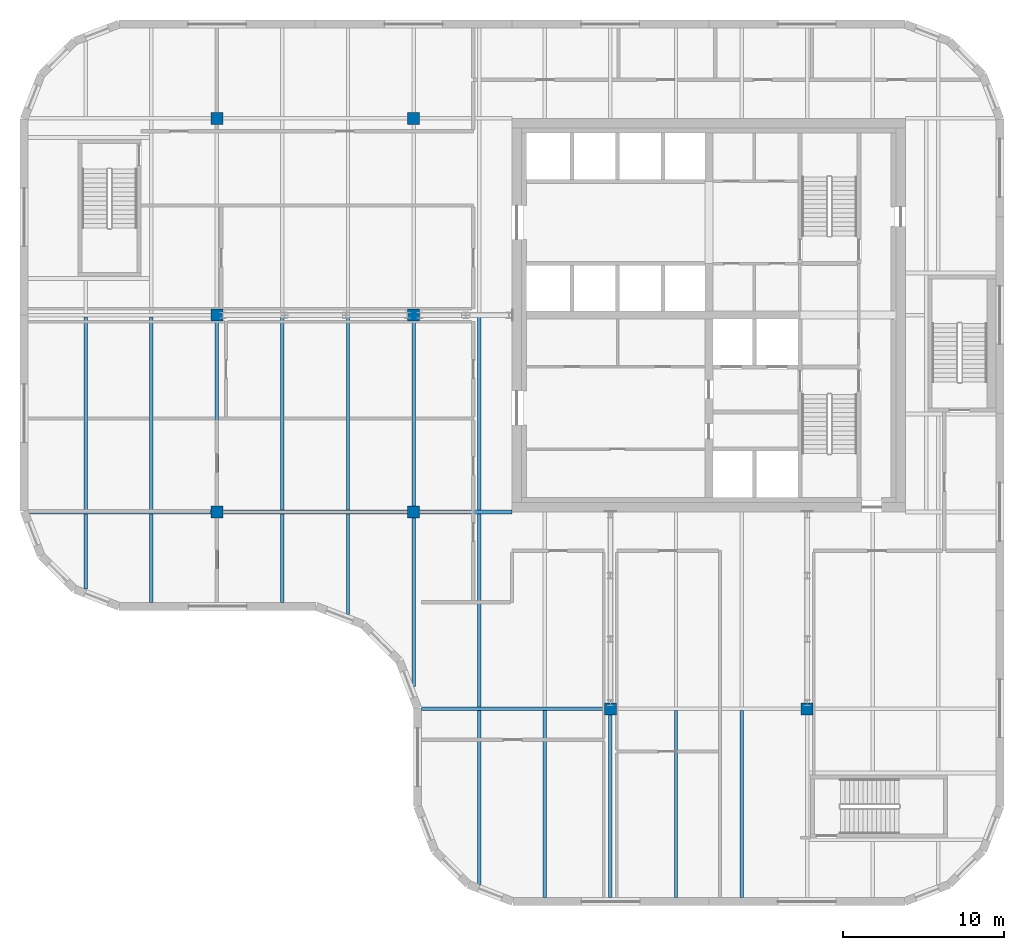
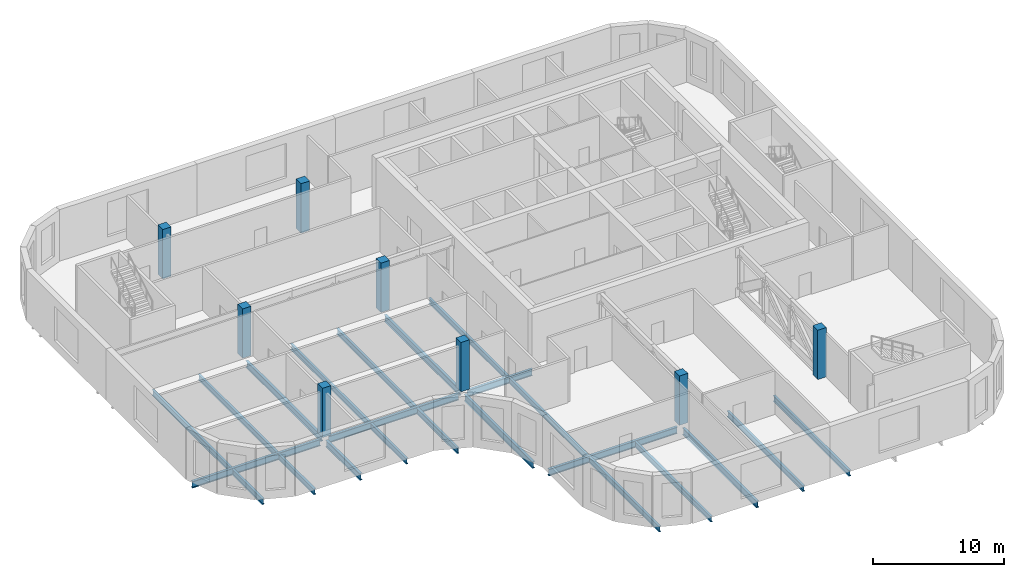
# One storey, part 1 of 12: 23 beams, 8 columns.
"""IFC4 building model written with IfcOpenShell, lengths in metres."""

from ifc_helpers import new_model, si_unit, direction, frame, origin, origin_2d, place, context, subcontext, project, spatial, rectangle, i_section, extrude, material, material_profile, profile_set, type_object, element, save


model = new_model("IFC4")

# Units and contexts
model_context = context("Model", 3, precision=1e-05, world=origin(), true_north=direction((0.0, 1.0)))
body_context = subcontext(model_context, "Body", "Model", "MODEL_VIEW")
ifc_project = project(units=[si_unit("LENGTHUNIT", "METRE"), si_unit("AREAUNIT", "SQUARE_METRE"), si_unit("VOLUMEUNIT", "CUBIC_METRE"), si_unit("PLANEANGLEUNIT", "RADIAN"), si_unit("MASSUNIT", "GRAM", prefix="KILO")], contexts=[model_context])

# Site, building, storey
site_placement = place(None, origin())
site = spatial("IfcSite", under=ifc_project, at=site_placement, CompositionType="ELEMENT")
building_placement = place(site_placement, origin())
building = spatial("IfcBuilding", under=site, at=building_placement, Name="Tessera Gate Towers", CompositionType="ELEMENT")
storey_placement = place(building_placement, frame((0.0, 0.0, 150.60009765625)))
storey = spatial("IfcBuildingStorey", under=building, at=storey_placement, Name="L37", CompositionType="ELEMENT", Elevation=150.60009765625)

# Columns
ifc_material_1 = material(Name="Concrete C70/85", Category="concrete")
ifc_material_profile_1 = material_profile(ifc_material_1, rectangle(XDim=0.75, YDim=0.75, at=origin_2d()), Name="RC 750x750")
ifc_profile_set_1 = profile_set([ifc_material_profile_1], Name="Concrete C70/85")
column_type = type_object("IfcColumnType", Name="COLUMN RC 750x750", PredefinedType="COLUMN", material=ifc_profile_set_1)
for number, where, z_axis, x_axis, name in (
    (1, (12.199951171875, 24.39990234375, 0.0), (0.0, 0.0, 1.0), (1.0, 0.0, 0.0), "T1-COL-2C-L37"),
    (2, (12.199951171875, 36.60009765625, 0.0), (0.0, 0.0, 1.0), (1.0, 0.0, 0.0), "T1-COL-2D-L37"),
    (3, (12.199951171875, 48.800048828125, 0.0), (0.0, 0.0, 1.0), (1.0, 0.0, 0.0), "T1-COL-2E-L37"),
    (4, (24.39990234375, 24.39990234375, 0.0), (0.0, 0.0, 1.0), (1.0, 0.0, 0.0), "T1-COL-3C-L37"),
    (5, (24.39990234375, 36.60009765625, 0.0), (0.0, 0.0, 1.0), (1.0, 0.0, 0.0), "T1-COL-3D-L37"),
    (6, (24.39990234375, 48.800048828125, 0.0), (0.0, 0.0, 1.0), (1.0, 0.0, 0.0), "T1-COL-3E-L37"),
    (7, (36.60009765625, 12.199951171875, 0.0), (0.0, 0.0, 1.0), (1.0, 0.0, 0.0), "T1-COL-4B-L37"),
    (8, (48.800048828125, 12.199951171875, 0.0), (0.0, 0.0, 1.0), (1.0, 0.0, 0.0), "T1-COL-5B-L37"),
):
    element("IfcColumn", number, at=place(storey_placement, frame(where, z_axis=z_axis, x_axis=x_axis)), inside=storey, type_object=column_type, Name=name, PredefinedType="COLUMN", context=body_context, shape_type="SweptSolid", body=[
        extrude(rectangle(XDim=0.75, YDim=0.75, at=origin_2d()), origin(), (0.0, 0.0, 1.0), 4.599853515625),
    ])

# Beams
ifc_material_2 = material(Name="Steel 350W", Category="steel")
ifc_material_profile_2 = material_profile(ifc_material_2, i_section(OverallWidth=0.22900390625, OverallDepth=0.612060546875, WebThickness=0.011962890625, FlangeThickness=0.01953125, at=origin_2d()), Name="W610x125")
ifc_profile_set_2 = profile_set([ifc_material_profile_2], Name="Steel 350W")
beam_type_1 = type_object("IfcBeamType", Name="FLOOR GIRDER W610x125", PredefinedType="BEAM", material=ifc_profile_set_2)
beam_1_placement = place(storey_placement, frame((24.89892578125, 12.199951171875, -0.606201171875), z_axis=(1.0, 0.0, 0.0), x_axis=(0.0, 1.0, 0.0)))
element("IfcBeam", 9, at=beam_1_placement, inside=storey, type_object=beam_type_1, Name="T1-GD-L37-4296", PredefinedType="BEAM", context=body_context, shape_type="SweptSolid", body=[
    extrude(i_section(OverallWidth=0.22900390625, OverallDepth=0.612060546875, WebThickness=0.011962890625, FlangeThickness=0.01953125, at=origin_2d()), origin(), (0.0, 0.0, 1.0), 11.326171875),
])
beam_2_placement = place(storey_placement, frame((0.534912109375, 24.39990234375, -0.606201171875), z_axis=(1.0, 0.0, 0.0), x_axis=(0.0, 1.0, 0.0)))
element("IfcBeam", 10, at=beam_2_placement, inside=storey, type_object=beam_type_1, Name="T1-GD-L37-4299", PredefinedType="BEAM", context=body_context, shape_type="SweptSolid", body=[
    extrude(i_section(OverallWidth=0.22900390625, OverallDepth=0.612060546875, WebThickness=0.011962890625, FlangeThickness=0.01953125, at=origin_2d()), origin(), (0.0, 0.0, 1.0), 11.2900390625),
])
beam_3_placement = place(storey_placement, frame((12.574951171875, 24.39990234375, -0.606201171875), z_axis=(1.0, 0.0, 0.0), x_axis=(0.0, 1.0, 0.0)))
element("IfcBeam", 11, at=beam_3_placement, inside=storey, type_object=beam_type_1, Name="T1-GD-L37-4300", PredefinedType="BEAM", context=body_context, shape_type="SweptSolid", body=[
    extrude(i_section(OverallWidth=0.22900390625, OverallDepth=0.612060546875, WebThickness=0.011962890625, FlangeThickness=0.01953125, at=origin_2d()), origin(), (0.0, 0.0, 1.0), 11.449951171875),
])
beam_4_placement = place(storey_placement, frame((24.77490234375, 24.39990234375, -0.606201171875), z_axis=(1.0, 0.0, 0.0), x_axis=(0.0, 1.0, 0.0)))
element("IfcBeam", 12, at=beam_4_placement, inside=storey, type_object=beam_type_1, Name="T1-GD-L37-4301", PredefinedType="BEAM", context=body_context, shape_type="SweptSolid", body=[
    extrude(i_section(OverallWidth=0.22900390625, OverallDepth=0.612060546875, WebThickness=0.011962890625, FlangeThickness=0.01953125, at=origin_2d()), origin(), (0.0, 0.0, 1.0), 5.72412109375),
])
beam_5_placement = place(storey_placement, frame((12.199951171875, 18.799072265625, -0.606201171875), z_axis=(0.0, 1.0, 0.0), x_axis=(-1.0, 0.0, 0.0)))
element("IfcBeam", 13, at=beam_5_placement, inside=storey, type_object=beam_type_1, Name="T1-GD-L37-4311", PredefinedType="BEAM", context=body_context, shape_type="SweptSolid", body=[
    extrude(i_section(OverallWidth=0.22900390625, OverallDepth=0.612060546875, WebThickness=0.011962890625, FlangeThickness=0.01953125, at=origin_2d()), origin(), (0.0, 0.0, 1.0), 5.225830078125),
])
beam_6_placement = place(storey_placement, frame((12.199951171875, 24.77490234375, -0.606201171875), z_axis=(0.0, 1.0, 0.0), x_axis=(-1.0, 0.0, 0.0)))
element("IfcBeam", 14, at=beam_6_placement, inside=storey, type_object=beam_type_1, Name="T1-GD-L37-4312", PredefinedType="BEAM", context=body_context, shape_type="SweptSolid", body=[
    extrude(i_section(OverallWidth=0.22900390625, OverallDepth=0.612060546875, WebThickness=0.011962890625, FlangeThickness=0.01953125, at=origin_2d()), origin(), (0.0, 0.0, 1.0), 11.4501953125),
])
beam_7_placement = place(storey_placement, frame((24.39990234375, 13.58642578125, -0.606201171875), z_axis=(0.0, 1.0, 0.0), x_axis=(-1.0, 0.0, 0.0)))
element("IfcBeam", 15, at=beam_7_placement, inside=storey, type_object=beam_type_1, Name="T1-GD-L37-4315", PredefinedType="BEAM", context=body_context, shape_type="SweptSolid", body=[
    extrude(i_section(OverallWidth=0.22900390625, OverallDepth=0.612060546875, WebThickness=0.011962890625, FlangeThickness=0.01953125, at=origin_2d()), origin(), (0.0, 0.0, 1.0), 10.4384765625),
])
beam_8_placement = place(storey_placement, frame((24.39990234375, 24.77490234375, -0.606201171875), z_axis=(0.0, 1.0, 0.0), x_axis=(-1.0, 0.0, 0.0)))
element("IfcBeam", 16, at=beam_8_placement, inside=storey, type_object=beam_type_1, Name="T1-GD-L37-4316", PredefinedType="BEAM", context=body_context, shape_type="SweptSolid", body=[
    extrude(i_section(OverallWidth=0.22900390625, OverallDepth=0.612060546875, WebThickness=0.011962890625, FlangeThickness=0.01953125, at=origin_2d()), origin(), (0.0, 0.0, 1.0), 11.4501953125),
])
beam_9_placement = place(storey_placement, frame((36.60009765625, 0.4990234375, -0.606201171875), z_axis=(0.0, 1.0, 0.0), x_axis=(-1.0, 0.0, 0.0)))
element("IfcBeam", 17, at=beam_9_placement, inside=storey, type_object=beam_type_1, Name="T1-GD-L37-4319", PredefinedType="BEAM", context=body_context, shape_type="SweptSolid", body=[
    extrude(i_section(OverallWidth=0.22900390625, OverallDepth=0.612060546875, WebThickness=0.011962890625, FlangeThickness=0.01953125, at=origin_2d()), origin(), (0.0, 0.0, 1.0), 11.325927734375),
])
ifc_material_3 = material(Name="Steel 350W", Category="steel")
ifc_material_profile_3 = material_profile(ifc_material_3, i_section(OverallWidth=0.208984375, OverallDepth=0.528076171875, WebThickness=0.009521484375, FlangeThickness=0.01318359375, at=origin_2d()), Name="W530x82")
ifc_profile_set_3 = profile_set([ifc_material_profile_3], Name="Steel 350W")
beam_type_2 = type_object("IfcBeamType", Name="FLOOR SECONDARY W530x82", PredefinedType="BEAM", material=ifc_profile_set_3)
beam_10_placement = place(storey_placement, frame((4.066650390625, 19.620361328125, -0.564208984375), z_axis=(0.0, 1.0, 0.0), x_axis=(-1.0, 0.0, 0.0)))
element("IfcBeam", 18, at=beam_10_placement, inside=storey, type_object=beam_type_2, Name="T1-BM-L37-4330", PredefinedType="BEAM", context=body_context, shape_type="SweptSolid", body=[
    extrude(i_section(OverallWidth=0.208984375, OverallDepth=0.528076171875, WebThickness=0.009521484375, FlangeThickness=0.01318359375, at=origin_2d()), origin(), (0.0, 0.0, 1.0), 4.6650390625),
])
beam_11_placement = place(storey_placement, frame((4.066650390625, 24.514404296875, -0.564208984375), z_axis=(0.0, 1.0, 0.0), x_axis=(-1.0, 0.0, 0.0)))
element("IfcBeam", 19, at=beam_11_placement, inside=storey, type_object=beam_type_2, Name="T1-BM-L37-4331", PredefinedType="BEAM", context=body_context, shape_type="SweptSolid", body=[
    extrude(i_section(OverallWidth=0.208984375, OverallDepth=0.528076171875, WebThickness=0.009521484375, FlangeThickness=0.01318359375, at=origin_2d()), origin(), (0.0, 0.0, 1.0), 11.97119140625),
])
beam_12_placement = place(storey_placement, frame((8.13330078125, 18.800048828125, -0.564208984375), z_axis=(0.0, 1.0, 0.0), x_axis=(-1.0, 0.0, 0.0)))
element("IfcBeam", 20, at=beam_12_placement, inside=storey, type_object=beam_type_2, Name="T1-BM-L37-4334", PredefinedType="BEAM", context=body_context, shape_type="SweptSolid", body=[
    extrude(i_section(OverallWidth=0.208984375, OverallDepth=0.528076171875, WebThickness=0.009521484375, FlangeThickness=0.01318359375, at=origin_2d()), origin(), (0.0, 0.0, 1.0), 5.4853515625),
])
beam_13_placement = place(storey_placement, frame((8.13330078125, 24.514404296875, -0.564208984375), z_axis=(0.0, 1.0, 0.0), x_axis=(-1.0, 0.0, 0.0)))
element("IfcBeam", 21, at=beam_13_placement, inside=storey, type_object=beam_type_2, Name="T1-BM-L37-4335", PredefinedType="BEAM", context=body_context, shape_type="SweptSolid", body=[
    extrude(i_section(OverallWidth=0.208984375, OverallDepth=0.528076171875, WebThickness=0.009521484375, FlangeThickness=0.01318359375, at=origin_2d()), origin(), (0.0, 0.0, 1.0), 11.97119140625),
])
beam_14_placement = place(storey_placement, frame((16.2666015625, 18.800048828125, -0.564208984375), z_axis=(0.0, 1.0, 0.0), x_axis=(-1.0, 0.0, 0.0)))
element("IfcBeam", 22, at=beam_14_placement, inside=storey, type_object=beam_type_2, Name="T1-BM-L37-4338", PredefinedType="BEAM", context=body_context, shape_type="SweptSolid", body=[
    extrude(i_section(OverallWidth=0.208984375, OverallDepth=0.528076171875, WebThickness=0.009521484375, FlangeThickness=0.01318359375, at=origin_2d()), origin(), (0.0, 0.0, 1.0), 5.4853515625),
])
beam_15_placement = place(storey_placement, frame((16.2666015625, 24.514404296875, -0.564208984375), z_axis=(0.0, 1.0, 0.0), x_axis=(-1.0, 0.0, 0.0)))
element("IfcBeam", 23, at=beam_15_placement, inside=storey, type_object=beam_type_2, Name="T1-BM-L37-4339", PredefinedType="BEAM", context=body_context, shape_type="SweptSolid", body=[
    extrude(i_section(OverallWidth=0.208984375, OverallDepth=0.528076171875, WebThickness=0.009521484375, FlangeThickness=0.01318359375, at=origin_2d()), origin(), (0.0, 0.0, 1.0), 11.97119140625),
])
beam_16_placement = place(storey_placement, frame((20.333251953125, 18.051513671875, -0.564208984375), z_axis=(0.0, 1.0, 0.0), x_axis=(-1.0, 0.0, 0.0)))
element("IfcBeam", 24, at=beam_16_placement, inside=storey, type_object=beam_type_2, Name="T1-BM-L37-4342", PredefinedType="BEAM", context=body_context, shape_type="SweptSolid", body=[
    extrude(i_section(OverallWidth=0.208984375, OverallDepth=0.528076171875, WebThickness=0.009521484375, FlangeThickness=0.01318359375, at=origin_2d()), origin(), (0.0, 0.0, 1.0), 6.23388671875),
])
beam_17_placement = place(storey_placement, frame((20.333251953125, 24.514404296875, -0.564208984375), z_axis=(0.0, 1.0, 0.0), x_axis=(-1.0, 0.0, 0.0)))
element("IfcBeam", 25, at=beam_17_placement, inside=storey, type_object=beam_type_2, Name="T1-BM-L37-4343", PredefinedType="BEAM", context=body_context, shape_type="SweptSolid", body=[
    extrude(i_section(OverallWidth=0.208984375, OverallDepth=0.528076171875, WebThickness=0.009521484375, FlangeThickness=0.01318359375, at=origin_2d()), origin(), (0.0, 0.0, 1.0), 11.97119140625),
])
beam_18_placement = place(storey_placement, frame((28.466796875, 1.3203125, -0.564208984375), z_axis=(0.0, 1.0, 0.0), x_axis=(-1.0, 0.0, 0.0)))
element("IfcBeam", 26, at=beam_18_placement, inside=storey, type_object=beam_type_2, Name="T1-BM-L37-4346", PredefinedType="BEAM", context=body_context, shape_type="SweptSolid", body=[
    extrude(i_section(OverallWidth=0.208984375, OverallDepth=0.528076171875, WebThickness=0.009521484375, FlangeThickness=0.01318359375, at=origin_2d()), origin(), (0.0, 0.0, 1.0), 10.76513671875),
])
beam_19_placement = place(storey_placement, frame((28.466796875, 12.314453125, -0.564208984375), z_axis=(0.0, 1.0, 0.0), x_axis=(-1.0, 0.0, 0.0)))
element("IfcBeam", 27, at=beam_19_placement, inside=storey, type_object=beam_type_2, Name="T1-BM-L37-4347", PredefinedType="BEAM", context=body_context, shape_type="SweptSolid", body=[
    extrude(i_section(OverallWidth=0.208984375, OverallDepth=0.528076171875, WebThickness=0.009521484375, FlangeThickness=0.01318359375, at=origin_2d()), origin(), (0.0, 0.0, 1.0), 11.970947265625),
])
beam_20_placement = place(storey_placement, frame((28.466796875, 24.514404296875, -0.564208984375), z_axis=(0.0, 1.0, 0.0), x_axis=(-1.0, 0.0, 0.0)))
element("IfcBeam", 28, at=beam_20_placement, inside=storey, type_object=beam_type_2, Name="T1-BM-L37-4348", PredefinedType="BEAM", context=body_context, shape_type="SweptSolid", body=[
    extrude(i_section(OverallWidth=0.208984375, OverallDepth=0.528076171875, WebThickness=0.009521484375, FlangeThickness=0.01318359375, at=origin_2d()), origin(), (0.0, 0.0, 1.0), 11.97119140625),
])
for number, where, z_axis, x_axis, name in (
    (29, (32.533203125, 0.5, -0.564208984375), (0.0, 1.0, 0.0), (-1.0, 0.0, 0.0), "T1-BM-L37-4351"),
    (30, (40.666748046875, 0.5, -0.564208984375), (0.0, 1.0, 0.0), (-1.0, 0.0, 0.0), "T1-BM-L37-4355"),
    (31, (44.7333984375, 0.5, -0.564208984375), (0.0, 1.0, 0.0), (-1.0, 0.0, 0.0), "T1-BM-L37-4358"),
):
    element("IfcBeam", number, at=place(storey_placement, frame(where, z_axis=z_axis, x_axis=x_axis)), inside=storey, type_object=beam_type_2, Name=name, PredefinedType="BEAM", context=body_context, shape_type="SweptSolid", body=[
        extrude(i_section(OverallWidth=0.208984375, OverallDepth=0.528076171875, WebThickness=0.009521484375, FlangeThickness=0.01318359375, at=origin_2d()), origin(), (0.0, 0.0, 1.0), 11.58544921875),
    ])

save(model, "model.ifc")
